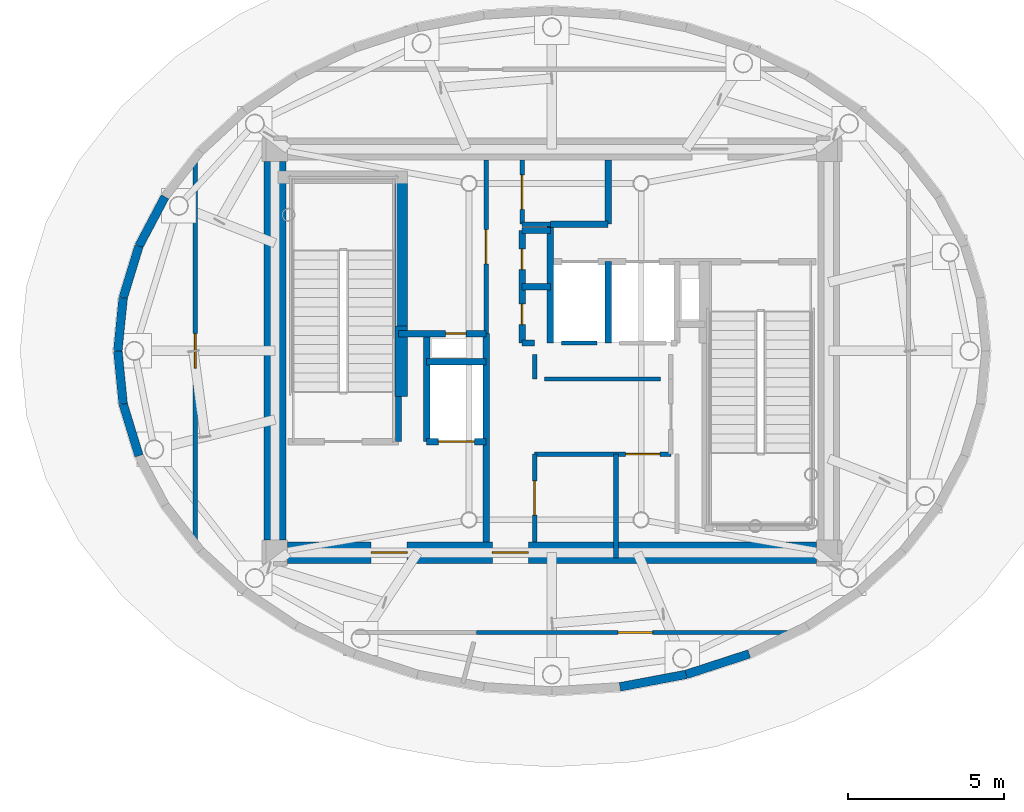
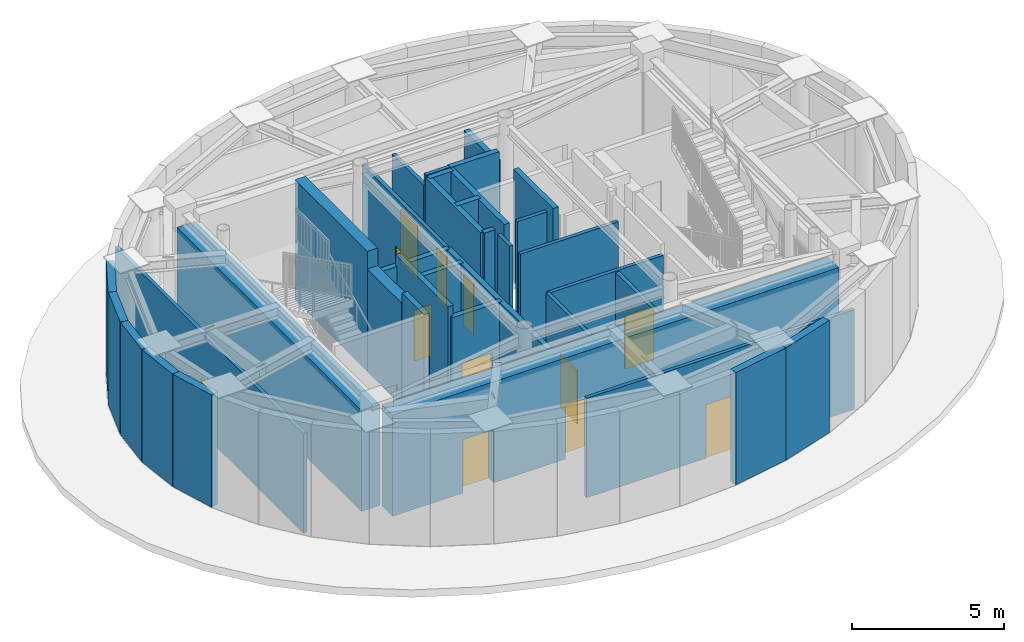
# One storey, part 3 of 12: 36 walls, 12 doors, 12 openings.
"""IFC4 building model written with IfcOpenShell, lengths in metres."""

import ifcopenshell
import ifcopenshell.guid

model = None  # the IFC model being written
_history = None  # IfcOwnerHistory: only IFC2X3 demands one
_inside = {}  # id of a spatial element -> (the spatial element, [elements in it])
_under = {}  # id of a project, library or spatial element -> (it, [spatial elements below it])
_declared = {}  # id of a project -> (the project, [libraries it declares])
_typed = {}  # id of a type object -> (the type object, [elements of that type])
_made_of = {}  # id of a material, layer set ... -> (it, [elements and type objects made of it])


def new_model(schema):
    """Start an empty IFC model of exactly this schema.

    Asked for "IFC4X3", IfcOpenShell would pick the latest addendum, in which some entities
    have other attributes; the version numbers below select the first issue.
    IFC2X3 requires an IfcOwnerHistory on every rooted entity: one is made here for all.
    """
    global model, _history
    if schema == "IFC4X3":
        model = ifcopenshell.file(schema_version=(4, 3, 0, 0))
    else:
        model = ifcopenshell.file(schema=schema)
    _inside.clear()
    _under.clear()
    _declared.clear()
    _typed.clear()
    _made_of.clear()
    _history = None
    if model.schema == "IFC2X3":
        org = make("IfcOrganization", Name="unknown")
        user = make(
            "IfcPersonAndOrganization",
            ThePerson=make("IfcPerson", FamilyName="unknown"),
            TheOrganization=org,
        )
        app = make(
            "IfcApplication",
            ApplicationDeveloper=org,
            Version="unknown",
            ApplicationFullName="unknown",
            ApplicationIdentifier="unknown",
        )
        _history = make(
            "IfcOwnerHistory",
            OwningUser=user,
            OwningApplication=app,
            ChangeAction="ADDED",
            CreationDate=0,
        )
    return model


def make(cls, **values):
    """One entity of the class cls with the attributes given. An attribute that is None is left unset."""
    return model.create_entity(
        cls, **{name: value for name, value in values.items() if value is not None}
    )


def rooted(cls, **values):
    """An entity with a GlobalId (a new one), such as an element, a storey or a relation."""
    return make(cls, GlobalId=ifcopenshell.guid.new(), OwnerHistory=_history, **values)


def si_unit(unit_type, name, prefix=None):
    """IfcSIUnit, for example si_unit("LENGTHUNIT", "METRE", prefix="MILLI")."""
    return make("IfcSIUnit", UnitType=unit_type, Prefix=prefix, Name=name)


def assignment(units):
    """IfcUnitAssignment: the units of a project."""
    return None if units is None else make("IfcUnitAssignment", Units=units)


def point(xyz):
    """IfcCartesianPoint."""
    return None if xyz is None else make("IfcCartesianPoint", Coordinates=xyz)


def direction(xyz):
    """IfcDirection."""
    return None if xyz is None else make("IfcDirection", DirectionRatios=xyz)


def frame(location, z_axis=None, x_axis=None):
    """IfcAxis2Placement3D, a coordinate frame: its origin and axes. An axis left out is left unset."""
    return make(
        "IfcAxis2Placement3D",
        Location=point(location),
        Axis=direction(z_axis),
        RefDirection=direction(x_axis),
    )


def frame_2d(location, x_axis=None):
    """IfcAxis2Placement2D, a coordinate frame in the plane: its origin and x axis."""
    return make(
        "IfcAxis2Placement2D", Location=point(location), RefDirection=direction(x_axis)
    )


def origin():
    """The frame at (0, 0, 0) with its axes left unset."""
    return frame((0.0, 0.0, 0.0))


def origin_2d():
    """The frame at (0, 0) in the plane with its x axis left unset."""
    return frame_2d((0.0, 0.0))


def place(relative_to, where):
    """IfcLocalPlacement: puts the frame where relative to a parent placement (None: the world)."""
    return make(
        "IfcLocalPlacement", PlacementRelTo=relative_to, RelativePlacement=where
    )


def context(
    kind, dimensions, precision=None, world=None, true_north=None, identifier=None
):
    """IfcGeometricRepresentationContext, for example the 3D "Model" context."""
    return make(
        "IfcGeometricRepresentationContext",
        ContextIdentifier=identifier,
        ContextType=kind,
        CoordinateSpaceDimension=dimensions,
        Precision=precision,
        WorldCoordinateSystem=world,
        TrueNorth=true_north,
    )


def subcontext(parent, identifier, kind, view, scale=None):
    """IfcGeometricRepresentationSubContext, for example "Body" below "Model"."""
    return make(
        "IfcGeometricRepresentationSubContext",
        ContextIdentifier=identifier,
        ContextType=kind,
        ParentContext=parent,
        TargetScale=scale,
        TargetView=view,
    )


def project(units=None, contexts=None):
    """IfcProject with its units and contexts."""
    return rooted(
        "IfcProject",
        Name="project",
        RepresentationContexts=contexts,
        UnitsInContext=assignment(units),
    )


def spatial(cls, under=None, at=None, **own):
    """A site, building, storey or space (cls), placed at a placement, below another one or the project."""
    s = rooted(cls, ObjectPlacement=at, **own)
    if under is not None:
        _under.setdefault(under.id(), (under, []))[1].append(s)
    return s


def profile(cls, at=None, kind="AREA", **sizes):
    """A parametric profile (cls). Its sizes go by their IFC names, for example OverallWidth=200.0."""
    return make(cls, ProfileType=kind, Position=at, **sizes)


def rectangle(**sizes):
    """IfcRectangleProfileDef."""
    return profile("IfcRectangleProfileDef", **sizes)


def extrude(swept, where, along, depth):
    """IfcExtrudedAreaSolid: the profile swept, set in the frame where, extruded along a direction by depth."""
    return make(
        "IfcExtrudedAreaSolid",
        SweptArea=swept,
        Position=where,
        ExtrudedDirection=direction(along),
        Depth=depth,
    )


def shape(context_of_items, identifier, shape_type, items):
    """IfcShapeRepresentation: the items that make up one representation, for example the "Body"."""
    return make(
        "IfcShapeRepresentation",
        ContextOfItems=context_of_items,
        RepresentationIdentifier=identifier,
        RepresentationType=shape_type,
        Items=items,
    )


def source(mapping_origin, context_of_items, identifier, shape_type, items):
    """IfcRepresentationMap: a shape defined once, which mapped items show again and again."""
    return make(
        "IfcRepresentationMap",
        MappingOrigin=mapping_origin,
        MappedRepresentation=shape(context_of_items, identifier, shape_type, items),
    )


def transform(
    local_origin,
    x_axis=None,
    y_axis=None,
    z_axis=None,
    scale=None,
    scale2=None,
    scale3=None,
    uniform=True,
):
    """IfcCartesianTransformationOperator3D, or its non-uniform kind. x_axis, y_axis, z_axis: its Axis1, 2, 3."""
    if uniform:
        return make(
            "IfcCartesianTransformationOperator3D",
            Axis1=direction(x_axis),
            Axis2=direction(y_axis),
            LocalOrigin=point(local_origin),
            Scale=scale,
            Axis3=direction(z_axis),
        )
    return make(
        "IfcCartesianTransformationOperator3DnonUniform",
        Axis1=direction(x_axis),
        Axis2=direction(y_axis),
        LocalOrigin=point(local_origin),
        Scale=scale,
        Axis3=direction(z_axis),
        Scale2=scale2,
        Scale3=scale3,
    )


def mapped(mapping_source, mapping_target):
    """IfcMappedItem: shows the shape of a source again, moved by a transform."""
    return make(
        "IfcMappedItem", MappingSource=mapping_source, MappingTarget=mapping_target
    )


def material(Name=None, Category=None):
    """IfcMaterial."""
    return make("IfcMaterial", Name=Name, Category=Category)


def layer(
    of_material, thickness, ventilated=None, Name=None, Category=None, Priority=None
):
    """IfcMaterialLayer: one layer of a wall or slab, of a material (None: an air gap)."""
    return make(
        "IfcMaterialLayer",
        Material=of_material,
        LayerThickness=thickness,
        IsVentilated=ventilated,
        Name=Name,
        Category=Category,
        Priority=Priority,
    )


def layer_set(layers, Name=None):
    """IfcMaterialLayerSet."""
    return make("IfcMaterialLayerSet", MaterialLayers=layers, LayerSetName=Name)


def made_of(thing, what):
    """Note that an element or type object is made of a material, layer set ...; save() writes the relation."""
    if what is not None:
        _made_of.setdefault(what.id(), (what, []))[1].append(thing)
    return thing


def type_object(cls, material=None, **own):
    """A type object (cls), such as IfcWallType, which elements share."""
    return made_of(rooted(cls, **own), material)


def element(
    cls,
    number,
    at=None,
    inside=None,
    cuts=None,
    type_object=None,
    material=None,
    context=None,
    identifier="Body",
    shape_type=None,
    held_by="IfcProductDefinitionShape",
    body=None,
    shapes=None,
    **own,
):
    """One element of the class cls, such as IfcWall. Its Tag is "e" and its number.

    at: its placement. inside: the storey or other place that contains it. cuts: it is an
    opening in that element (IfcRelVoidsElement). A single representation is given by context,
    identifier, shape_type and body (its items); several are given by shapes. held_by: the class
    of the entity that holds the representations. save() writes the other relations.
    """
    e = rooted(cls, Tag="e%d" % number, ObjectPlacement=at, **own)
    if body is not None:
        shapes = [shape(context, identifier, shape_type, body)]
    if shapes is not None:
        e.Representation = make(held_by, Representations=shapes)
    if inside is not None:
        _inside.setdefault(inside.id(), (inside, []))[1].append(e)
    if cuts is not None:
        rooted(
            "IfcRelVoidsElement", RelatingBuildingElement=cuts, RelatedOpeningElement=e
        )
    if type_object is not None:
        _typed.setdefault(type_object.id(), (type_object, []))[1].append(e)
    return made_of(e, material)


def fill(opening, filler):
    """IfcRelFillsElement: the door or window that sits in an opening."""
    return rooted(
        "IfcRelFillsElement",
        RelatingOpeningElement=opening,
        RelatedBuildingElement=filler,
    )


def aggregate(whole, parts):
    """IfcRelAggregates: a whole, such as a stair, and the parts it consists of."""
    return rooted("IfcRelAggregates", RelatingObject=whole, RelatedObjects=parts)


def save(model, path):
    """Write the relations noted so far, then the file.

    IfcRelAggregates (storeys below a building ...), IfcRelContainedInSpatialStructure (elements
    in a storey), IfcRelDefinesByType, IfcRelAssociatesMaterial and IfcRelDeclares: one each for
    every whole, place, type object, material and project.
    """
    for whole, parts in _under.values():
        aggregate(whole, parts)
    for where, things in _inside.values():
        rooted(
            "IfcRelContainedInSpatialStructure",
            RelatedElements=things,
            RelatingStructure=where,
        )
    for kind, things in _typed.values():
        rooted("IfcRelDefinesByType", RelatedObjects=things, RelatingType=kind)
    for what, things in _made_of.values():
        rooted("IfcRelAssociatesMaterial", RelatedObjects=things, RelatingMaterial=what)
    for by, libraries in _declared.values():
        rooted("IfcRelDeclares", RelatingContext=by, RelatedDefinitions=libraries)
    model.write(path)


model = new_model("IFC4")

# Units and contexts
model_context = context("Model", 3, precision=1e-05, world=origin(), true_north=direction((0.0, 1.0)))
body_context = subcontext(model_context, "Body", "Model", "MODEL_VIEW")
ifc_project = project(units=[si_unit("LENGTHUNIT", "METRE"), si_unit("AREAUNIT", "SQUARE_METRE"), si_unit("VOLUMEUNIT", "CUBIC_METRE"), si_unit("PLANEANGLEUNIT", "RADIAN"), si_unit("MASSUNIT", "GRAM", prefix="KILO")], contexts=[model_context])

# Site, building, storey
site_placement = place(None, origin())
site = spatial("IfcSite", under=ifc_project, at=site_placement, CompositionType="ELEMENT")
building_placement = place(site_placement, origin())
building = spatial("IfcBuilding", under=site, at=building_placement, Name="Linh Dai School and Residence Tower", CompositionType="ELEMENT")
storey_placement = place(building_placement, frame((0.0, 0.0, 368.39990234375)))
storey = spatial("IfcBuildingStorey", under=building, at=storey_placement, Name="L91", CompositionType="ELEMENT", Elevation=368.39990234375)

# Walls
ifc_material_1 = material(Name="Concrete B45 (C35/45)", Category="concrete")
ifc_layer_1 = layer(ifc_material_1, 0.280029296875)
ifc_layer_set_1 = layer_set([ifc_layer_1], Name="Concrete B45 (C35/45)")
wall_type_1 = type_object("IfcWallType", Name="EW-DRM-280", PredefinedType="SOLIDWALL", material=ifc_layer_set_1)
wall_1_placement = place(storey_placement, frame((22.80078125, 30.351318359375, 0.0), z_axis=(0.0, 0.0, 1.0), x_axis=(0.466368181746, 0.884590707082, 0.0)))
element("IfcWall", 1, at=wall_1_placement, inside=storey, type_object=wall_type_1, Name="L91 Terracotta Exterior Wall 18", PredefinedType="SOLIDWALL", context=body_context, shape_type="SweptSolid", body=[
    extrude(rectangle(XDim=1.77978515625, YDim=0.280029296875, at=frame_2d((0.889892578125, 0.0))), origin(), (0.0, 0.0, 1.0), 4.5),
])
wall_2_placement = place(storey_placement, frame((22.294921875, 28.696044921875, 0.0), z_axis=(0.0, 0.0, 1.0), x_axis=(0.292261538012, 0.956338430368, 0.0)))
element("IfcWall", 2, at=wall_2_placement, inside=storey, type_object=wall_type_1, Name="L91 Terracotta Exterior Wall 19", PredefinedType="SOLIDWALL", context=body_context, shape_type="SweptSolid", body=[
    extrude(rectangle(XDim=1.73095703125, YDim=0.280029296875, at=frame_2d((0.865478515625, 0.0))), origin(), (0.0, 0.0, 1.0), 4.5),
])
for number, where, z_axis, x_axis, name in (
    (3, (22.125, 27.0, 0.0), (0.0, 0.0, 1.0), (0.099688072745, 0.995018737589, 0.0), "L91 Terracotta Exterior Wall 20"),
    (4, (22.294921875, 25.303955078125, 0.0), (0.0, 0.0, 1.0), (-0.099688072745, 0.995018737589, 0.0), "L91 Terracotta Exterior Wall 21"),
):
    element("IfcWall", number, at=place(storey_placement, frame(where, z_axis=z_axis, x_axis=x_axis)), inside=storey, type_object=wall_type_1, Name=name, PredefinedType="SOLIDWALL", context=body_context, shape_type="SweptSolid", body=[
        extrude(rectangle(XDim=1.70458984375, YDim=0.280029296875, at=frame_2d((0.852294921875, 0.0))), origin(), (0.0, 0.0, 1.0), 4.5),
    ])
wall_3_placement = place(storey_placement, frame((22.80078125, 23.648681640625, 0.0), z_axis=(0.0, 0.0, 1.0), x_axis=(-0.292261538012, 0.956338430368, 0.0)))
element("IfcWall", 5, at=wall_3_placement, inside=storey, type_object=wall_type_1, Name="L91 Terracotta Exterior Wall 22", PredefinedType="SOLIDWALL", context=body_context, shape_type="SweptSolid", body=[
    extrude(rectangle(XDim=1.73095703125, YDim=0.280029296875, at=frame_2d((0.865478515625, 0.0))), origin(), (0.0, 0.0, 1.0), 4.5),
])
wall_4_placement = place(storey_placement, frame((40.29541015625, 16.659423828125, 0.0), z_axis=(0.0, 0.0, 1.0), x_axis=(-0.982683423472, -0.18529244246, 0.0)))
element("IfcWall", 6, at=wall_4_placement, inside=storey, type_object=wall_type_1, Name="L91 Terracotta Exterior Wall 32", PredefinedType="SOLIDWALL", context=body_context, shape_type="SweptSolid", body=[
    extrude(rectangle(XDim=2.158203125, YDim=0.280029296875, at=frame_2d((1.0791015625, 0.0))), origin(), (0.0, 0.0, 1.0), 4.5),
])
wall_5_placement = place(storey_placement, frame((42.309326171875, 17.31494140625, 0.0), z_axis=(0.0, 0.0, 1.0), x_axis=(-0.950895892553, -0.309510906959, 0.0)))
element("IfcWall", 7, at=wall_5_placement, inside=storey, type_object=wall_type_1, Name="L91 Terracotta Exterior Wall 33", PredefinedType="SOLIDWALL", context=body_context, shape_type="SweptSolid", body=[
    extrude(rectangle(XDim=2.117919921875, YDim=0.280029296875, at=frame_2d((1.05908203125, 0.0))), origin(), (0.0, 0.0, 1.0), 4.5),
])

# Wall, opening, door
ifc_material_2 = material(Name="Autoclaved Aerated Concrete Blockwork", Category="masonry")
ifc_layer_2 = layer(ifc_material_2, 0.135009765625)
ifc_layer_set_2 = layer_set([ifc_layer_2], Name="Autoclaved Aerated Concrete Blockwork")
wall_type_2 = type_object("IfcWallType", Name="IW-CORR-135-EI90", PredefinedType="PARTITIONING", material=ifc_layer_set_2)
wall_6_placement = place(storey_placement, frame((24.60009765625, 20.823486328125, 0.0), z_axis=(0.0, 0.0, 1.0), x_axis=(0.0, 1.0, 0.0)))
wall_6 = element("IfcWall", 8, at=wall_6_placement, inside=storey, type_object=wall_type_2, Name="L91 Interior Partition Wall 001", PredefinedType="PARTITIONING", context=body_context, shape_type="SweptSolid", body=[
    extrude(rectangle(XDim=12.35302734375, YDim=0.135009765625, at=frame_2d((6.176513671875, 0.0))), origin(), (0.0, 0.0, 1.0), 3.985107421875),
])
opening_1_placement = place(wall_6_placement, frame((5.626708984375, 0.0, 0.0)))
opening_1 = element("IfcOpeningElement", 9, at=opening_1_placement, cuts=wall_6, Name="Opening D07", PredefinedType="OPENING", context=body_context, shape_type="SweptSolid", body=[
    extrude(rectangle(XDim=1.10009765625, YDim=2.14990234375, at=origin_2d()), frame((0.550048828125, 0.07763671875, 1.074951171875), z_axis=(0.0, -1.0, 0.0), x_axis=(1.0, 0.0, 0.0)), (0.0, 0.0, 1.0), 0.155029296875),
])
ifc_material_3 = material(Name="Fire-Rated Louvred Steel Plant Door", Category="steel")
door_type_1 = type_object("IfcDoorType", Name="DR-PLT-1100x2150-FD60S", OperationType="NOTDEFINED", PredefinedType="DOOR", material=ifc_material_3)
shared_shape_1 = source(origin(), body_context, "Body", "SweptSolid", [
    extrude(rectangle(XDim=1.10009765625, YDim=2.14990234375, at=origin_2d()), frame((0.550048828125, 0.02490234375, 1.074951171875), z_axis=(0.0, -1.0, 0.0), x_axis=(1.0, 0.0, 0.0)), (0.0, 0.0, 1.0), 0.050048828125),
])
door_1_placement = place(opening_1_placement, origin())
door_1 = element("IfcDoor", 10, at=door_1_placement, inside=storey, type_object=door_type_1, Name="L91 Broadcast Uninterruptible Power & Battery Room Door", OperationType="SINGLE_SWING_RIGHT", OverallHeight=2.14990234375, OverallWidth=1.10009765625, PredefinedType="DOOR", context=body_context, shape_type="MappedRepresentation", body=[
    mapped(shared_shape_1, transform((0.0, 0.0, 0.0), x_axis=(1.0, 0.0, 0.0), y_axis=(0.0, 1.0, 0.0), z_axis=(0.0, 0.0, 1.0), scale=1.0)),
])
fill(opening_1, door_1)

wall_7_placement = place(storey_placement, frame((33.58837890625, 18.0, 0.0), z_axis=(0.0, 0.0, 1.0), x_axis=(1.0, 0.0, 0.0)))
wall_7 = element("IfcWall", 11, at=wall_7_placement, inside=storey, type_object=wall_type_2, Name="L91 Interior Partition Wall 009", PredefinedType="PARTITIONING", context=body_context, shape_type="SweptSolid", body=[
    extrude(rectangle(XDim=10.1552734375, YDim=0.135009765625, at=frame_2d((5.07763671875, 0.0))), origin(), (0.0, 0.0, 1.0), 3.985107421875),
])
opening_2_placement = place(wall_7_placement, frame((4.527587890625, 0.0, 0.0)))
opening_2 = element("IfcOpeningElement", 12, at=opening_2_placement, cuts=wall_7, Name="Opening D07", PredefinedType="OPENING", context=body_context, shape_type="SweptSolid", body=[
    extrude(rectangle(XDim=1.10009765625, YDim=2.14990234375, at=origin_2d()), frame((0.550048828125, 0.07763671875, 1.074951171875), z_axis=(0.0, -1.0, 0.0), x_axis=(1.0, 0.0, 0.0)), (0.0, 0.0, 1.0), 0.155029296875),
])
door_2_placement = place(opening_2_placement, origin())
door_2 = element("IfcDoor", 13, at=door_2_placement, inside=storey, type_object=door_type_1, Name="L91 Facade Building Maintenance Unit Rigging Store Door", OperationType="SINGLE_SWING_LEFT", OverallHeight=2.14990234375, OverallWidth=1.10009765625, PredefinedType="DOOR", context=body_context, shape_type="MappedRepresentation", body=[
    mapped(shared_shape_1, transform((0.0, 0.0, 0.0), x_axis=(1.0, 0.0, 0.0), y_axis=(0.0, 1.0, 0.0), z_axis=(0.0, 0.0, 1.0), scale=1.0)),
])
fill(opening_2, door_2)

wall_8_placement = place(storey_placement, frame((33.89990234375, 27.56005859375, 0.0), z_axis=(0.0, 0.0, 1.0), x_axis=(0.0, 1.0, 0.0)))
wall_8 = element("IfcWall", 14, at=wall_8_placement, inside=storey, type_object=wall_type_2, Name="L91 Interior Partition Wall 011", PredefinedType="PARTITIONING", context=body_context, shape_type="SweptSolid", body=[
    extrude(rectangle(XDim=5.5400390625, YDim=0.135009765625, at=frame_2d((2.77001953125, 0.0))), origin(), (0.0, 0.0, 1.0), 4.085205078125),
])
opening_3_placement = place(wall_8_placement, frame((2.219970703125, 0.0, 0.0)))
opening_3 = element("IfcOpeningElement", 15, at=opening_3_placement, cuts=wall_8, Name="Opening D07", PredefinedType="OPENING", context=body_context, shape_type="SweptSolid", body=[
    extrude(rectangle(XDim=1.10009765625, YDim=2.14990234375, at=origin_2d()), frame((0.550048828125, 0.07763671875, 1.074951171875), z_axis=(0.0, -1.0, 0.0), x_axis=(1.0, 0.0, 0.0)), (0.0, 0.0, 1.0), 0.155029296875),
])
door_3_placement = place(opening_3_placement, origin())
door_3 = element("IfcDoor", 16, at=door_3_placement, inside=storey, type_object=door_type_1, Name="L91 High-Zone Housekeeping Suite Door", OperationType="SINGLE_SWING_RIGHT", OverallHeight=2.14990234375, OverallWidth=1.10009765625, PredefinedType="DOOR", context=body_context, shape_type="MappedRepresentation", body=[
    mapped(shared_shape_1, transform((0.0, 0.0, 0.0), x_axis=(1.0, 0.0, 0.0), y_axis=(0.0, 1.0, 0.0), z_axis=(0.0, 0.0, 1.0), scale=1.0)),
])
fill(opening_3, door_3)

wall_9_placement = place(storey_placement, frame((35.050048828125, 31.050048828125, 0.0), z_axis=(0.0, 0.0, 1.0), x_axis=(0.0, 1.0, 0.0)))
wall_9 = element("IfcWall", 17, at=wall_9_placement, inside=storey, type_object=wall_type_2, Name="L91 Interior Partition Wall 016", PredefinedType="PARTITIONING", context=body_context, shape_type="SweptSolid", body=[
    extrude(rectangle(XDim=2.050048828125, YDim=0.135009765625, at=frame_2d((1.02490234375, 0.0))), origin(), (0.0, 0.0, 1.0), 4.085205078125),
])
opening_4_placement = place(wall_9_placement, frame((0.47509765625, 0.0, 0.0)))
opening_4 = element("IfcOpeningElement", 18, at=opening_4_placement, cuts=wall_9, Name="Opening D07", PredefinedType="OPENING", context=body_context, shape_type="SweptSolid", body=[
    extrude(rectangle(XDim=1.10009765625, YDim=2.14990234375, at=origin_2d()), frame((0.550048828125, 0.07763671875, 1.074951171875), z_axis=(0.0, -1.0, 0.0), x_axis=(1.0, 0.0, 0.0)), (0.0, 0.0, 1.0), 0.155029296875),
])
door_4_placement = place(opening_4_placement, origin())
door_4 = element("IfcDoor", 19, at=door_4_placement, inside=storey, type_object=door_type_1, Name="L91 North BMS Switchroom Door", OperationType="SINGLE_SWING_LEFT", OverallHeight=2.14990234375, OverallWidth=1.10009765625, PredefinedType="DOOR", context=body_context, shape_type="MappedRepresentation", body=[
    mapped(shared_shape_1, transform((0.0, 0.0, 0.0), x_axis=(1.0, 0.0, 0.0), y_axis=(0.0, 1.0, 0.0), z_axis=(0.0, 0.0, 1.0), scale=1.0)),
])
fill(opening_4, door_4)

# Wall
wall_10_placement = place(storey_placement, frame((35.050048828125, 31.050048828125, 0.0), z_axis=(0.0, 0.0, 1.0), x_axis=(1.0, 0.0, 0.0)))
element("IfcWall", 20, at=wall_10_placement, inside=storey, type_object=wall_type_2, Name="L91 Interior Partition Wall 017", PredefinedType="PARTITIONING", context=body_context, shape_type="SweptSolid", body=[
    extrude(rectangle(XDim=0.89990234375, YDim=0.135009765625, at=frame_2d((0.449951171875, 0.0))), origin(), (0.0, 0.0, 1.0), 4.5),
])

# Wall, opening, door
wall_11_placement = place(storey_placement, frame((35.449951171875, 20.89990234375, 0.0), z_axis=(0.0, 0.0, 1.0), x_axis=(0.0, 1.0, 0.0)))
wall_11 = element("IfcWall", 21, at=wall_11_placement, inside=storey, type_object=wall_type_2, Name="L91 Interior Partition Wall 018", PredefinedType="PARTITIONING", context=body_context, shape_type="SweptSolid", body=[
    extrude(rectangle(XDim=2.800048828125, YDim=0.135009765625, at=frame_2d((1.39990234375, 0.0))), origin(), (0.0, 0.0, 1.0), 4.085205078125),
])
opening_5_placement = place(wall_11_placement, frame((0.85009765625, 0.0, 0.0)))
opening_5 = element("IfcOpeningElement", 22, at=opening_5_placement, cuts=wall_11, Name="Opening D07", PredefinedType="OPENING", context=body_context, shape_type="SweptSolid", body=[
    extrude(rectangle(XDim=1.10009765625, YDim=2.14990234375, at=origin_2d()), frame((0.550048828125, 0.07763671875, 1.074951171875), z_axis=(0.0, -1.0, 0.0), x_axis=(1.0, 0.0, 0.0)), (0.0, 0.0, 1.0), 0.155029296875),
])
door_5_placement = place(opening_5_placement, origin())
door_5 = element("IfcDoor", 23, at=door_5_placement, inside=storey, type_object=door_type_1, Name="L91 Floor Electrical Switchroom Door", OperationType="SINGLE_SWING_RIGHT", OverallHeight=2.14990234375, OverallWidth=1.10009765625, PredefinedType="DOOR", context=body_context, shape_type="MappedRepresentation", body=[
    mapped(shared_shape_1, transform((0.0, 0.0, 0.0), x_axis=(1.0, 0.0, 0.0), y_axis=(0.0, 1.0, 0.0), z_axis=(0.0, 0.0, 1.0), scale=1.0)),
])
fill(opening_5, door_5)

wall_12_placement = place(storey_placement, frame((35.449951171875, 23.699951171875, 0.0), z_axis=(0.0, 0.0, 1.0), x_axis=(1.0, 0.0, 0.0)))
wall_12 = element("IfcWall", 24, at=wall_12_placement, inside=storey, type_object=wall_type_2, Name="L91 Interior Partition Wall 019", PredefinedType="PARTITIONING", context=body_context, shape_type="SweptSolid", body=[
    extrude(rectangle(XDim=4.35009765625, YDim=0.135009765625, at=frame_2d((2.175048828125, 0.0))), origin(), (0.0, 0.0, 1.0), 4.085205078125),
])
opening_6_placement = place(wall_12_placement, frame((2.905029296875, 0.0, 0.0)))
opening_6 = element("IfcOpeningElement", 25, at=opening_6_placement, cuts=wall_12, Name="Opening D07", PredefinedType="OPENING", context=body_context, shape_type="SweptSolid", body=[
    extrude(rectangle(XDim=1.10009765625, YDim=2.14990234375, at=origin_2d()), frame((0.550048828125, 0.07763671875, 1.074951171875), z_axis=(0.0, -1.0, 0.0), x_axis=(1.0, 0.0, 0.0)), (0.0, 0.0, 1.0), 0.155029296875),
])
door_6_placement = place(opening_6_placement, origin())
door_6 = element("IfcDoor", 26, at=door_6_placement, inside=storey, type_object=door_type_1, Name="L91 Telecom Node Room Door", OperationType="SINGLE_SWING_LEFT", OverallHeight=2.14990234375, OverallWidth=1.10009765625, PredefinedType="DOOR", context=body_context, shape_type="MappedRepresentation", body=[
    mapped(shared_shape_1, transform((0.0, 0.0, 0.0), x_axis=(1.0, 0.0, 0.0), y_axis=(0.0, 1.0, 0.0), z_axis=(0.0, 0.0, 1.0), scale=1.0)),
])
fill(opening_6, door_6)

# Walls
wall_13_placement = place(storey_placement, frame((37.43994140625, 27.25, 0.0), z_axis=(0.0, 0.0, 1.0), x_axis=(-1.0, 0.0, 0.0)))
element("IfcWall", 27, at=wall_13_placement, inside=storey, type_object=wall_type_2, Name="L91 Interior Partition Wall 033", PredefinedType="PARTITIONING", context=body_context, shape_type="SweptSolid", body=[
    extrude(rectangle(XDim=1.1298828125, YDim=0.135009765625, at=frame_2d((0.56494140625, 0.0))), origin(), (0.0, 0.0, 1.0), 4.5),
])
wall_14_placement = place(storey_placement, frame((35.449951171875, 26.889892578125, 0.0), z_axis=(0.0, 0.0, 1.0), x_axis=(0.0, -1.0, 0.0)))
element("IfcWall", 28, at=wall_14_placement, inside=storey, type_object=wall_type_2, Name="L91 Interior Partition Wall 037", PredefinedType="PARTITIONING", context=body_context, shape_type="SweptSolid", body=[
    extrude(rectangle(XDim=0.789794921875, YDim=0.135009765625, at=frame_2d((0.39501953125, 0.0))), origin(), (0.0, 0.0, 1.0), 4.5),
])
wall_15_placement = place(storey_placement, frame((35.757568359375, 26.10009765625, 0.0), z_axis=(0.0, 0.0, 1.0), x_axis=(1.0, 0.0, 0.0)))
element("IfcWall", 29, at=wall_15_placement, inside=storey, type_object=wall_type_2, Name="L91 Interior Partition Wall 038", PredefinedType="PARTITIONING", context=body_context, shape_type="SweptSolid", body=[
    extrude(rectangle(XDim=3.71484375, YDim=0.135009765625, at=frame_2d((1.857421875, 0.0))), origin(), (0.0, 0.0, 1.0), 4.085205078125),
])
ifc_layer_3 = layer(ifc_material_2, 0.14990234375)
ifc_layer_set_3 = layer_set([ifc_layer_3], Name="Autoclaved Aerated Concrete Blockwork")
wall_type_3 = type_object("IfcWallType", Name="IW-SCH-150-EI60", PredefinedType="PARTITIONING", material=ifc_layer_set_3)
wall_16_placement = place(storey_placement, frame((38.050048828125, 20.3798828125, 0.0), z_axis=(0.0, 0.0, 1.0), x_axis=(0.0, 1.0, 0.0)))
element("IfcWall", 30, at=wall_16_placement, inside=storey, type_object=wall_type_3, Name="L91 Interior Partition Wall 025", PredefinedType="PARTITIONING", context=body_context, shape_type="SweptSolid", body=[
    extrude(rectangle(XDim=3.320068359375, YDim=0.14990234375, at=frame_2d((1.66015625, 0.0))), origin(), (0.0, 0.0, 1.0), 4.03515625),
])
ifc_layer_4 = layer(ifc_material_1, 0.199951171875)
ifc_layer_set_4 = layer_set([ifc_layer_4], Name="Concrete B45 (C35/45)")
wall_type_4 = type_object("IfcWallType", Name="IW-SHAFT-200-EI120", PredefinedType="PARTITIONING", material=ifc_layer_set_4)
wall_17_placement = place(storey_placement, frame((31.10009765625, 24.10009765625, 0.0), z_axis=(0.0, 0.0, 1.0), x_axis=(0.0, 1.0, 0.0)))
element("IfcWall", 31, at=wall_17_placement, inside=storey, type_object=wall_type_4, Name="L91 Interior Partition Wall 004", PredefinedType="PARTITIONING", context=body_context, shape_type="SweptSolid", body=[
    extrude(rectangle(XDim=1.43994140625, YDim=0.199951171875, at=frame_2d((0.719970703125, 0.0))), origin(), (0.0, 0.0, 1.0), 4.5),
])

# Wall, opening, door
wall_18_placement = place(storey_placement, frame((31.10009765625, 27.550048828125, 0.0), z_axis=(0.0, 0.0, 1.0), x_axis=(1.0, 0.0, 0.0)))
wall_18 = element("IfcWall", 32, at=wall_18_placement, inside=storey, type_object=wall_type_4, Name="L91 Interior Partition Wall 005", PredefinedType="PARTITIONING", context=body_context, shape_type="SweptSolid", body=[
    extrude(rectangle(XDim=2.7998046875, YDim=0.199951171875, at=frame_2d((1.39990234375, 0.0))), origin(), (0.0, 0.0, 1.0), 4.085205078125),
])
opening_7_placement = place(wall_18_placement, frame((1.5, 0.0, 0.0)))
opening_7 = element("IfcOpeningElement", 33, at=opening_7_placement, cuts=wall_18, Name="Opening AD1", PredefinedType="OPENING", context=body_context, shape_type="SweptSolid", body=[
    extrude(rectangle(XDim=0.659912109375, YDim=2.050048828125, at=origin_2d()), frame((0.330078125, 0.10986328125, 1.02490234375), z_axis=(0.0, -1.0, 0.0), x_axis=(1.0, 0.0, 0.0)), (0.0, 0.0, 1.0), 0.219970703125),
])
ifc_material_4 = material(Name="Fire-Rated Steel Riser Access Door", Category="steel")
door_type_2 = type_object("IfcDoorType", Name="DR-ACC-660x2050-FD90S", OperationType="NOTDEFINED", PredefinedType="USERDEFINED", material=ifc_material_4)
shared_shape_2 = source(origin(), body_context, "Body", "SweptSolid", [
    extrude(rectangle(XDim=0.659912109375, YDim=2.050048828125, at=origin_2d()), frame((0.330078125, 0.02490234375, 1.02490234375), z_axis=(0.0, -1.0, 0.0), x_axis=(1.0, 0.0, 0.0)), (0.0, 0.0, 1.0), 0.050048828125),
])
door_7_placement = place(opening_7_placement, origin())
door_7 = element("IfcDoor", 34, at=door_7_placement, inside=storey, type_object=door_type_2, Name="L91 Main Electrical Riser Access Door", ObjectType="ACCESS DOOR", OperationType="SINGLE_SWING_RIGHT", OverallHeight=2.050048828125, OverallWidth=0.659912109375, PredefinedType="USERDEFINED", context=body_context, shape_type="MappedRepresentation", body=[
    mapped(shared_shape_2, transform((0.0, 0.0, 0.0), x_axis=(1.0, 0.0, 0.0), y_axis=(0.0, 1.0, 0.0), z_axis=(0.0, 0.0, 1.0), scale=1.0)),
])
fill(opening_7, door_7)

# Wall
wall_19_placement = place(storey_placement, frame((32.0, 24.10009765625, 0.0), z_axis=(0.0, 0.0, 1.0), x_axis=(0.0, 1.0, 0.0)))
element("IfcWall", 35, at=wall_19_placement, inside=storey, type_object=wall_type_4, Name="L91 Interior Partition Wall 006", PredefinedType="PARTITIONING", context=body_context, shape_type="SweptSolid", body=[
    extrude(rectangle(XDim=3.449951171875, YDim=0.199951171875, at=frame_2d((1.72509765625, 0.0))), origin(), (0.0, 0.0, 1.0), 4.5),
])

# Wall, opening, door
wall_20_placement = place(storey_placement, frame((32.0, 24.10009765625, 0.0), z_axis=(0.0, 0.0, 1.0), x_axis=(1.0, 0.0, 0.0)))
wall_20 = element("IfcWall", 36, at=wall_20_placement, inside=storey, type_object=wall_type_4, Name="L91 Interior Partition Wall 007", PredefinedType="PARTITIONING", context=body_context, shape_type="SweptSolid", body=[
    extrude(rectangle(XDim=1.89990234375, YDim=0.199951171875, at=frame_2d((0.949951171875, 0.0))), origin(), (0.0, 0.0, 1.0), 4.085205078125),
])
opening_8_placement = place(wall_20_placement, frame((0.375, 0.0, 0.0)))
opening_8 = element("IfcOpeningElement", 37, at=opening_8_placement, cuts=wall_20, Name="Opening LD-FF2", PredefinedType="OPENING", context=body_context, shape_type="SweptSolid", body=[
    extrude(rectangle(XDim=1.14990234375, YDim=2.14990234375, at=origin_2d()), frame((0.574951171875, 0.10986328125, 1.074951171875), z_axis=(0.0, -1.0, 0.0), x_axis=(1.0, 0.0, 0.0)), (0.0, 0.0, 1.0), 0.219970703125),
])
ifc_material_5 = material(Name="Fire-Rated Stainless Steel Firefighting Lift Door", Category="steel")
door_type_3 = type_object("IfcDoorType", Name="DR-LD-FF-1150x2150-FD120", OperationType="DOUBLE_DOOR_SLIDING", PredefinedType="USERDEFINED", material=ifc_material_5)
shared_shape_3 = source(origin(), body_context, "Body", "SweptSolid", [
    extrude(rectangle(XDim=1.14990234375, YDim=2.14990234375, at=origin_2d()), frame((0.574951171875, 0.02490234375, 1.074951171875), z_axis=(0.0, -1.0, 0.0), x_axis=(1.0, 0.0, 0.0)), (0.0, 0.0, 1.0), 0.050048828125),
])
door_8_placement = place(opening_8_placement, origin())
door_8 = element("IfcDoor", 38, at=door_8_placement, inside=storey, type_object=door_type_3, Name="L91 Lift FF2 Sliding Landing Door", ObjectType="LANDING DOOR", OperationType="DOUBLE_DOOR_SLIDING", OverallHeight=2.14990234375, OverallWidth=1.14990234375, PredefinedType="USERDEFINED", context=body_context, shape_type="MappedRepresentation", body=[
    mapped(shared_shape_3, transform((0.0, 0.0, 0.0), x_axis=(1.0, 0.0, 0.0), y_axis=(0.0, 1.0, 0.0), z_axis=(0.0, 0.0, 1.0), scale=1.0)),
])
fill(opening_8, door_8)

# Walls
wall_21_placement = place(storey_placement, frame((32.0, 26.64990234375, 0.0), z_axis=(0.0, 0.0, 1.0), x_axis=(1.0, 0.0, 0.0)))
element("IfcWall", 39, at=wall_21_placement, inside=storey, type_object=wall_type_4, Name="L91 Interior Partition Wall 008", PredefinedType="PARTITIONING", context=body_context, shape_type="SweptSolid", body=[
    extrude(rectangle(XDim=1.89990234375, YDim=0.199951171875, at=frame_2d((0.949951171875, 0.0))), origin(), (0.0, 0.0, 1.0), 4.085205078125),
])
wall_22_placement = place(storey_placement, frame((33.89990234375, 20.89990234375, 0.0), z_axis=(0.0, 0.0, 1.0), x_axis=(0.0, 1.0, 0.0)))
element("IfcWall", 40, at=wall_22_placement, inside=storey, type_object=wall_type_4, Name="L91 Interior Partition Wall 010", PredefinedType="PARTITIONING", context=body_context, shape_type="SweptSolid", body=[
    extrude(rectangle(XDim=6.650146484375, YDim=0.199951171875, at=frame_2d((3.3251953125, 0.0))), origin(), (0.0, 0.0, 1.0), 4.085205078125),
])

# Wall, openings, doors
wall_23_placement = place(storey_placement, frame((35.050048828125, 27.25, 0.0), z_axis=(0.0, 0.0, 1.0), x_axis=(0.0, 1.0, 0.0)))
wall_23 = element("IfcWall", 41, at=wall_23_placement, inside=storey, type_object=wall_type_4, Name="L91 Interior Partition Wall 012", PredefinedType="PARTITIONING", context=body_context, shape_type="SweptSolid", body=[
    extrude(rectangle(XDim=3.60009765625, YDim=0.199951171875, at=frame_2d((1.800048828125, 0.0))), origin(), (0.0, 0.0, 1.0), 4.5),
])
opening_9_placement = place(wall_23_placement, frame((0.590087890625, 0.0, 0.0)))
opening_9 = element("IfcOpeningElement", 42, at=opening_9_placement, cuts=wall_23, Name="Opening AD1", PredefinedType="OPENING", context=body_context, shape_type="SweptSolid", body=[
    extrude(rectangle(XDim=0.659912109375, YDim=2.050048828125, at=origin_2d()), frame((0.330078125, 0.10986328125, 1.02490234375), z_axis=(0.0, -1.0, 0.0), x_axis=(1.0, 0.0, 0.0)), (0.0, 0.0, 1.0), 0.219970703125),
])
opening_10_placement = place(wall_23_placement, frame((2.35009765625, 0.0, 0.0)))
opening_10 = element("IfcOpeningElement", 43, at=opening_10_placement, cuts=wall_23, Name="Opening AD1", PredefinedType="OPENING", context=body_context, shape_type="SweptSolid", body=[
    extrude(rectangle(XDim=0.659912109375, YDim=2.050048828125, at=origin_2d()), frame((0.330078125, 0.10986328125, 1.02490234375), z_axis=(0.0, -1.0, 0.0), x_axis=(1.0, 0.0, 0.0)), (0.0, 0.0, 1.0), 0.219970703125),
])
door_9_placement = place(opening_9_placement, origin())
door_9 = element("IfcDoor", 44, at=door_9_placement, inside=storey, type_object=door_type_2, Name="L91 Telecom and Data Riser Access Door", ObjectType="ACCESS DOOR", OperationType="SINGLE_SWING_RIGHT", OverallHeight=2.050048828125, OverallWidth=0.659912109375, PredefinedType="USERDEFINED", context=body_context, shape_type="MappedRepresentation", body=[
    mapped(shared_shape_2, transform((0.0, 0.0, 0.0), x_axis=(1.0, 0.0, 0.0), y_axis=(0.0, 1.0, 0.0), z_axis=(0.0, 0.0, 1.0), scale=1.0)),
])
fill(opening_9, door_9)
door_10_placement = place(opening_10_placement, origin())
door_10 = element("IfcDoor", 45, at=door_10_placement, inside=storey, type_object=door_type_2, Name="L91 Mechanical and Plumbing Riser Access Door", ObjectType="ACCESS DOOR", OperationType="SINGLE_SWING_LEFT", OverallHeight=2.050048828125, OverallWidth=0.659912109375, PredefinedType="USERDEFINED", context=body_context, shape_type="MappedRepresentation", body=[
    mapped(shared_shape_2, transform((0.0, 0.0, 0.0), x_axis=(1.0, 0.0, 0.0), y_axis=(0.0, 1.0, 0.0), z_axis=(0.0, 0.0, 1.0), scale=1.0)),
])
fill(opening_10, door_10)

# Walls
wall_24_placement = place(storey_placement, frame((35.050048828125, 27.25, 0.0), z_axis=(0.0, 0.0, 1.0), x_axis=(1.0, 0.0, 0.0)))
element("IfcWall", 46, at=wall_24_placement, inside=storey, type_object=wall_type_4, Name="L91 Interior Partition Wall 013", PredefinedType="PARTITIONING", context=body_context, shape_type="SweptSolid", body=[
    extrude(rectangle(XDim=0.39990234375, YDim=0.199951171875, at=frame_2d((0.199951171875, 0.0))), origin(), (0.0, 0.0, 1.0), 4.5),
])
for number, where, z_axis, x_axis, name in (
    (47, (35.050048828125, 29.050048828125, 0.0), (0.0, 0.0, 1.0), (1.0, 0.0, 0.0), "L91 Interior Partition Wall 014"),
    (48, (35.050048828125, 30.85009765625, 0.0), (0.0, 0.0, 1.0), (1.0, 0.0, 0.0), "L91 Interior Partition Wall 015"),
):
    element("IfcWall", number, at=place(storey_placement, frame(where, z_axis=z_axis, x_axis=x_axis)), inside=storey, type_object=wall_type_4, Name=name, PredefinedType="PARTITIONING", context=body_context, shape_type="SweptSolid", body=[
        extrude(rectangle(XDim=0.89990234375, YDim=0.199951171875, at=frame_2d((0.449951171875, 0.0))), origin(), (0.0, 0.0, 1.0), 4.5),
    ])
wall_25_placement = place(storey_placement, frame((35.949951171875, 27.25, 0.0), z_axis=(0.0, 0.0, 1.0), x_axis=(0.0, 1.0, 0.0)))
element("IfcWall", 49, at=wall_25_placement, inside=storey, type_object=wall_type_4, Name="L91 Interior Partition Wall 020", PredefinedType="PARTITIONING", context=body_context, shape_type="SweptSolid", body=[
    extrude(rectangle(XDim=3.800048828125, YDim=0.199951171875, at=frame_2d((1.89990234375, 0.0))), origin(), (0.0, 0.0, 1.0), 4.5),
])
wall_26_placement = place(storey_placement, frame((35.9599609375, 31.050048828125, 0.0), z_axis=(0.0, 0.0, 1.0), x_axis=(1.0, 0.0, 0.0)))
element("IfcWall", 50, at=wall_26_placement, inside=storey, type_object=wall_type_4, Name="L91 Interior Partition Wall 022", PredefinedType="PARTITIONING", context=body_context, shape_type="SweptSolid", body=[
    extrude(rectangle(XDim=1.840087890625, YDim=0.199951171875, at=frame_2d((0.919921875, 0.0))), origin(), (0.0, 0.0, 1.0), 4.5),
])
wall_27_placement = place(storey_placement, frame((37.800048828125, 27.25, 0.0), z_axis=(0.0, 0.0, 1.0), x_axis=(0.0, 1.0, 0.0)))
element("IfcWall", 51, at=wall_27_placement, inside=storey, type_object=wall_type_4, Name="L91 Interior Partition Wall 023", PredefinedType="PARTITIONING", context=body_context, shape_type="SweptSolid", body=[
    extrude(rectangle(XDim=2.60009765625, YDim=0.199951171875, at=frame_2d((1.300048828125, 0.0))), origin(), (0.0, 0.0, 1.0), 4.5),
])
wall_28_placement = place(storey_placement, frame((37.800048828125, 31.050048828125, 0.0), z_axis=(0.0, 0.0, 1.0), x_axis=(0.0, 1.0, 0.0)))
element("IfcWall", 52, at=wall_28_placement, inside=storey, type_object=wall_type_4, Name="L91 Interior Partition Wall 024", PredefinedType="PARTITIONING", context=body_context, shape_type="SweptSolid", body=[
    extrude(rectangle(XDim=2.050048828125, YDim=0.199951171875, at=frame_2d((1.02490234375, 0.0))), origin(), (0.0, 0.0, 1.0), 4.085205078125),
])
ifc_layer_5 = layer(ifc_material_1, 0.39990234375)
ifc_layer_set_5 = layer_set([ifc_layer_5], Name="Concrete B45 (C35/45)")
wall_type_5 = type_object("IfcWallType", Name="WL-CORE400", PredefinedType="SHEAR", material=ifc_layer_set_5)
wall_29_placement = place(storey_placement, frame((31.179931640625, 27.800048828125, 0.0), z_axis=(0.0, 0.0, 1.0), x_axis=(0.0, 1.0, 0.0)))
element("IfcWall", 53, at=wall_29_placement, inside=storey, type_object=wall_type_5, Name="L91 Core Stair ST1 Bearing Wall E", PredefinedType="SHEAR", context=body_context, shape_type="SweptSolid", body=[
    extrude(rectangle(XDim=4.75, YDim=0.39990234375, at=frame_2d((2.375, 0.0))), origin(), (0.0, 0.0, 1.0), 4.800048828125),
])
wall_30_placement = place(storey_placement, frame((31.179931640625, 25.550048828125, 0.0), z_axis=(0.0, 0.0, 1.0), x_axis=(0.0, 1.0, 0.0)))
element("IfcWall", 54, at=wall_30_placement, inside=storey, type_object=wall_type_5, Name="L91 Internal Core Shear Wall IW", PredefinedType="SHEAR", context=body_context, shape_type="SweptSolid", body=[
    extrude(rectangle(XDim=2.25, YDim=0.39990234375, at=frame_2d((1.125, 0.0))), origin(), (0.0, 0.0, 1.0), 4.10009765625),
])

# Wall, openings, doors
ifc_layer_6 = layer(ifc_material_1, 0.699951171875)
ifc_layer_set_6 = layer_set([ifc_layer_6], Name="Concrete B45 (C35/45)")
wall_type_6 = type_object("IfcWallType", Name="WL-CORE700", PredefinedType="SHEAR", material=ifc_layer_set_6)
wall_31_placement = place(storey_placement, frame((44.449951171875, 20.550048828125, 0.0), z_axis=(0.0, 0.0, 1.0), x_axis=(-1.0, 0.0, 0.0)))
wall_31 = element("IfcWall", 55, at=wall_31_placement, inside=storey, type_object=wall_type_6, Name="L91 Central Core Shear Wall S", PredefinedType="SHEAR", context=body_context, shape_type="SweptSolid", body=[
    extrude(rectangle(XDim=16.89990234375, YDim=0.699951171875, at=frame_2d((8.449951171875, 0.0))), origin(), (0.0, 0.0, 1.0), 4.050048828125),
])
opening_11_placement = place(wall_31_placement, frame((13.074951171875, 0.0, 0.0)))
opening_11 = element("IfcOpeningElement", 56, at=opening_11_placement, cuts=wall_31, Name="Opening D02", PredefinedType="OPENING", context=body_context, shape_type="SweptSolid", body=[
    extrude(rectangle(XDim=1.14990234375, YDim=2.14990234375, at=origin_2d()), frame((0.574951171875, 0.35986328125, 1.074951171875), z_axis=(0.0, -1.0, 0.0), x_axis=(1.0, 0.0, 0.0)), (0.0, 0.0, 1.0), 0.719970703125),
])
opening_12_placement = place(wall_31_placement, frame((9.199951171875, 0.0, 0.0)))
opening_12 = element("IfcOpeningElement", 57, at=opening_12_placement, cuts=wall_31, Name="Opening D02", PredefinedType="OPENING", context=body_context, shape_type="SweptSolid", body=[
    extrude(rectangle(XDim=1.14990234375, YDim=2.14990234375, at=origin_2d()), frame((0.574951171875, 0.35986328125, 1.074951171875), z_axis=(0.0, -1.0, 0.0), x_axis=(1.0, 0.0, 0.0)), (0.0, 0.0, 1.0), 0.719970703125),
])
ifc_material_6 = material(Name="Fire-Rated Glazed Steel Lobby Door", Category="steel")
door_type_4 = type_object("IfcDoorType", Name="DR-LOBBY-1150x2150-FD90S", OperationType="NOTDEFINED", PredefinedType="DOOR", material=ifc_material_6)
shared_shape_4 = source(origin(), body_context, "Body", "SweptSolid", [
    extrude(rectangle(XDim=1.14990234375, YDim=2.14990234375, at=origin_2d()), frame((0.574951171875, 0.02490234375, 1.074951171875), z_axis=(0.0, -1.0, 0.0), x_axis=(1.0, 0.0, 0.0)), (0.0, 0.0, 1.0), 0.050048828125),
])
door_11_placement = place(opening_11_placement, origin())
door_11 = element("IfcDoor", 58, at=door_11_placement, inside=storey, type_object=door_type_4, Name="L91 Firefighting Lobby Door", OperationType="SINGLE_SWING_LEFT", OverallHeight=2.14990234375, OverallWidth=1.14990234375, PredefinedType="DOOR", context=body_context, shape_type="MappedRepresentation", body=[
    mapped(shared_shape_4, transform((0.0, 0.0, 0.0), x_axis=(1.0, 0.0, 0.0), y_axis=(0.0, 1.0, 0.0), z_axis=(0.0, 0.0, 1.0), scale=1.0)),
])
fill(opening_11, door_11)
door_12_placement = place(opening_12_placement, origin())
door_12 = element("IfcDoor", 59, at=door_12_placement, inside=storey, type_object=door_type_4, Name="L91 Passenger Foyer Access Door", OperationType="SINGLE_SWING_LEFT", OverallHeight=2.14990234375, OverallWidth=1.14990234375, PredefinedType="DOOR", context=body_context, shape_type="MappedRepresentation", body=[
    mapped(shared_shape_4, transform((0.0, 0.0, 0.0), x_axis=(1.0, 0.0, 0.0), y_axis=(0.0, 1.0, 0.0), z_axis=(0.0, 0.0, 1.0), scale=1.0)),
])
fill(opening_12, door_12)

# Wall
wall_32_placement = place(storey_placement, frame((27.14990234375, 20.949951171875, 0.0), z_axis=(0.0, 0.0, 1.0), x_axis=(0.0, 1.0, 0.0)))
element("IfcWall", 60, at=wall_32_placement, inside=storey, type_object=wall_type_6, Name="L91 Central Core Shear Wall W", PredefinedType="SHEAR", context=body_context, shape_type="SweptSolid", body=[
    extrude(rectangle(XDim=12.10009765625, YDim=0.699951171875, at=frame_2d((6.050048828125, 0.0))), origin(), (0.0, 0.0, 1.0), 4.050048828125),
])

save(model, "model.ifc")
